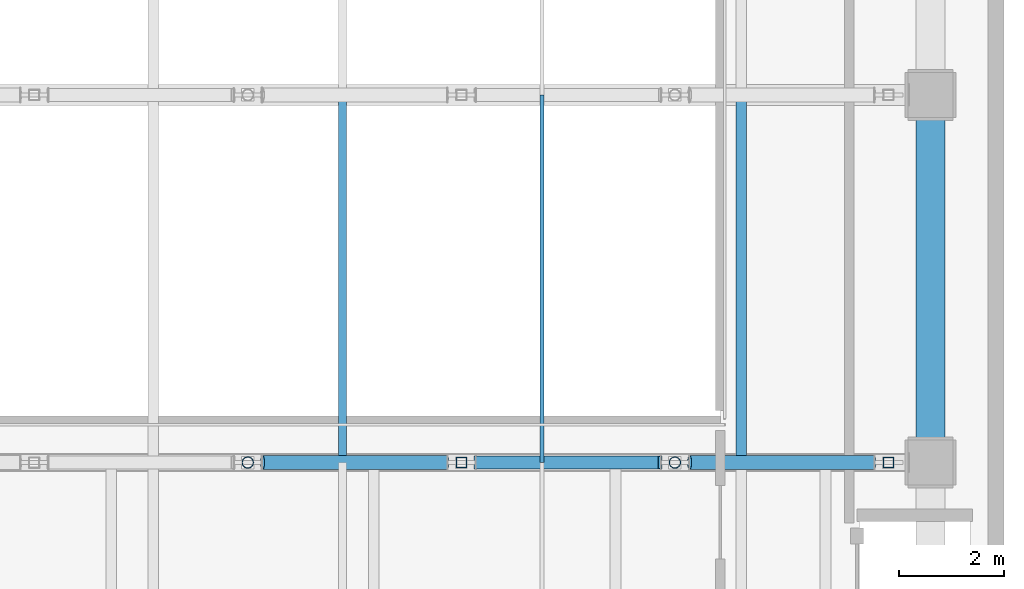
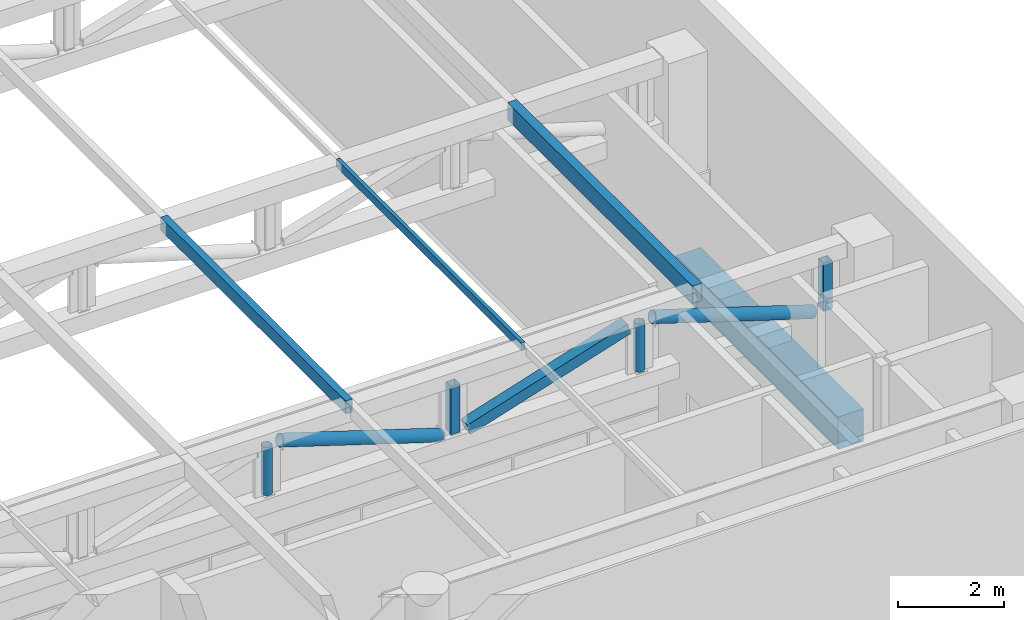
# One storey, part 9 of 25: 10 members, 1 beam.
"""IFC4 building model written with IfcOpenShell, lengths in metres."""

from ifc_helpers import new_model, si_unit, direction, frame, origin, origin_2d, place, context, subcontext, project, spatial, rectangle, hollow_rectangle, hollow_circle, extrude, material, material_profile, profile_set, type_object, element, save


model = new_model("IFC4")

# Units and contexts
model_context = context("Model", 3, precision=1e-05, world=origin(), true_north=direction((0.0, 1.0)))
body_context = subcontext(model_context, "Body", "Model", "MODEL_VIEW")
ifc_project = project(units=[si_unit("LENGTHUNIT", "METRE"), si_unit("AREAUNIT", "SQUARE_METRE"), si_unit("VOLUMEUNIT", "CUBIC_METRE"), si_unit("PLANEANGLEUNIT", "RADIAN"), si_unit("MASSUNIT", "GRAM", prefix="KILO")], contexts=[model_context])

# Site, building, storey
site_placement = place(None, origin())
site = spatial("IfcSite", under=ifc_project, at=site_placement, CompositionType="ELEMENT")
building_placement = place(site_placement, origin())
building = spatial("IfcBuilding", under=site, at=building_placement, Name="Solanera Arch Residences", CompositionType="ELEMENT")
storey_placement = place(building_placement, frame((0.0, 0.0, 17.800048828125)))
storey = spatial("IfcBuildingStorey", under=building, at=storey_placement, Name="L04", CompositionType="ELEMENT", Elevation=17.800048828125)

# Beam
ifc_material_1 = material(Name="Concrete C40/50 (f'c = 45 MPa)", Category="concrete")
ifc_material_profile_1 = material_profile(ifc_material_1, rectangle(XDim=0.550048828125, YDim=0.75, at=origin_2d()))
ifc_profile_set_1 = profile_set([ifc_material_profile_1], Name="Concrete C40/50 (f'c = 45 MPa)")
beam_type = type_object("IfcBeamType", Name="Primary Beam RC-BM-550X750", PredefinedType="BEAM", material=ifc_profile_set_1)
beam_placement = place(storey_placement, frame((81.800048828125, 20.22509765625, -0.655029296875), z_axis=(0.0, 1.0, 0.0), x_axis=(-1.0, 0.0, 0.0)))
element("IfcBeam", 1, at=beam_placement, inside=storey, type_object=beam_type, Name="BM-L04-HE-2", PredefinedType="BEAM", context=body_context, shape_type="SweptSolid", body=[
    extrude(rectangle(XDim=0.550048828125, YDim=0.75, at=origin_2d()), origin(), (0.0, 0.0, 1.0), 6.14990234375),
])

# Members
ifc_material_2 = material(Name="Steel S355 (ASTM A992 / A572 Grade 50)", Category="steel")
ifc_material_profile_2 = material_profile(ifc_material_2, hollow_rectangle(XDim=0.080078125, YDim=0.179931640625, WallThickness=0.006103515625, at=origin_2d()))
ifc_profile_set_2 = profile_set([ifc_material_profile_2], Name="Steel S355 (ASTM A992 / A572 Grade 50)")
member_type_1 = type_object("IfcMemberType", Name="Roof Purlin HSS180X80X6", PredefinedType="PURLIN", material=ifc_profile_set_2)
member_1_placement = place(storey_placement, frame((74.39990234375, 19.800048828125, 4.10986328125), z_axis=(0.0, 1.0, 0.0), x_axis=(-1.0, 0.0, 0.0)))
element("IfcMember", 2, at=member_1_placement, inside=storey, type_object=member_type_1, Name="Sports Hall Roof Purlin 5.2", PredefinedType="PURLIN", context=body_context, shape_type="SweptSolid", body=[
    extrude(hollow_rectangle(XDim=0.080078125, YDim=0.179931640625, WallThickness=0.006103515625, at=origin_2d()), origin(), (0.0, 0.0, 1.0), 7.0),
])
ifc_material_3 = material(Name="Steel S355 (ASTM A992 / A572 Grade 50)", Category="steel")
ifc_material_profile_3 = material_profile(ifc_material_3, hollow_rectangle(XDim=0.14990234375, YDim=0.300048828125, WallThickness=0.010009765625, at=origin_2d()))
ifc_profile_set_3 = profile_set([ifc_material_profile_3], Name="Steel S355 (ASTM A992 / A572 Grade 50)")
member_type_2 = type_object("IfcMemberType", Name="Roof Purlin HSS300X150X10", PredefinedType="PURLIN", material=ifc_profile_set_3)
member_2_placement = place(storey_placement, frame((70.60009765625, 19.800048828125, 4.050048828125), z_axis=(0.0, 1.0, 0.0), x_axis=(-1.0, 0.0, 0.0)))
element("IfcMember", 3, at=member_2_placement, inside=storey, type_object=member_type_2, Name="Sports Hall Roof Purlin 4.2", PredefinedType="PURLIN", context=body_context, shape_type="SweptSolid", body=[
    extrude(hollow_rectangle(XDim=0.14990234375, YDim=0.300048828125, WallThickness=0.010009765625, at=origin_2d()), origin(), (0.0, 0.0, 1.0), 7.0),
])
ifc_material_4 = material(Name="Steel S355 (ASTM A992 / A572 Grade 50)", Category="steel")
ifc_material_profile_4 = material_profile(ifc_material_4, hollow_rectangle(XDim=0.199951171875, YDim=0.39990234375, WallThickness=0.012451171875, at=origin_2d()))
ifc_profile_set_4 = profile_set([ifc_material_profile_4], Name="Steel S355 (ASTM A992 / A572 Grade 50)")
member_type_3 = type_object("IfcMemberType", Name="Roof Purlin HSS400X200X12.5", PredefinedType="PURLIN", material=ifc_profile_set_4)
member_3_placement = place(storey_placement, frame((78.199951171875, 19.800048828125, 4.0), z_axis=(0.0, 1.0, 0.0), x_axis=(-1.0, 0.0, 0.0)))
element("IfcMember", 4, at=member_3_placement, inside=storey, type_object=member_type_3, Name="Sports Hall Roof Purlin 6.2", PredefinedType="PURLIN", context=body_context, shape_type="SweptSolid", body=[
    extrude(hollow_rectangle(XDim=0.199951171875, YDim=0.39990234375, WallThickness=0.012451171875, at=origin_2d()), origin(), (0.0, 0.0, 1.0), 7.0),
])
ifc_material_5 = material(Name="Steel S355 (ASTM A992 / A572 Grade 50)", Category="steel")
ifc_material_profile_5 = material_profile(ifc_material_5, hollow_circle(Radius=0.109619140625, WallThickness=0.008056640625, at=origin_2d()))
ifc_profile_set_5 = profile_set([ifc_material_profile_5], Name="Steel S355 (ASTM A992 / A572 Grade 50)")
member_type_4 = type_object("IfcMemberType", Name="Strut CHS219.1X8", PredefinedType="STRUT", material=ifc_profile_set_5)
for number, where, z_axis, x_axis, name in (
    (5, (68.800048828125, 19.800048828125, 2.695068359375), (0.0, 0.0, 1.0), (1.0, 0.0, 0.0), "Sports Hall Roof Truss 1 Vertical Post 3"),
    (6, (76.93310546875, 19.800048828125, 2.695068359375), (0.0, 0.0, 1.0), (1.0, 0.0, 0.0), "Sports Hall Roof Truss 1 Vertical Post 5"),
):
    element("IfcMember", number, at=place(storey_placement, frame(where, z_axis=z_axis, x_axis=x_axis)), inside=storey, type_object=member_type_4, Name=name, PredefinedType="STRUT", context=body_context, shape_type="SweptSolid", body=[
        extrude(hollow_circle(Radius=0.109619140625, WallThickness=0.008056640625, at=origin_2d()), origin(), (0.0, 0.0, 1.0), 1.10986328125),
    ])
ifc_material_6 = material(Name="Steel S355 (ASTM A992 / A572 Grade 50)", Category="steel")
ifc_material_profile_6 = material_profile(ifc_material_6, hollow_circle(Radius=0.136474609375, WallThickness=0.010009765625, at=origin_2d()))
ifc_profile_set_6 = profile_set([ifc_material_profile_6], Name="Steel S355 (ASTM A992 / A572 Grade 50)")
member_type_5 = type_object("IfcMemberType", Name="Truss Diagonal CHS273X10", PredefinedType="BRACE", material=ifc_profile_set_6)
member_4_placement = place(storey_placement, frame((69.080078125, 19.800048828125, 3.804931640625), z_axis=(0.953391879618, 0.0, -0.301734856916), x_axis=(0.0, 1.0, 0.0)))
element("IfcMember", 7, at=member_4_placement, inside=storey, type_object=member_type_5, Name="Sports Hall Roof Truss 1 Web Diagonal 4", PredefinedType="BRACE", context=body_context, shape_type="SweptSolid", body=[
    extrude(hollow_circle(Radius=0.136474609375, WallThickness=0.010009765625, at=origin_2d()), origin(), (0.0, 0.0, 1.0), 3.67822265625),
])
member_5_placement = place(storey_placement, frame((77.212890625, 19.800048828125, 3.804931640625), z_axis=(0.953397921967, 0.0, -0.301715764237), x_axis=(0.0, 1.0, 0.0)))
element("IfcMember", 8, at=member_5_placement, inside=storey, type_object=member_type_5, Name="Sports Hall Roof Truss 1 Web Diagonal 6", PredefinedType="BRACE", context=body_context, shape_type="SweptSolid", body=[
    extrude(hollow_circle(Radius=0.136474609375, WallThickness=0.010009765625, at=origin_2d()), origin(), (0.0, 0.0, 1.0), 3.678466796875),
])
ifc_material_7 = material(Name="Steel S355 (ASTM A992 / A572 Grade 50)", Category="steel")
ifc_material_profile_7 = material_profile(ifc_material_7, hollow_rectangle(XDim=0.25, YDim=0.25, WallThickness=0.010009765625, at=origin_2d()))
ifc_profile_set_7 = profile_set([ifc_material_profile_7], Name="Steel S355 (ASTM A992 / A572 Grade 50)")
member_type_6 = type_object("IfcMemberType", Name="Truss Diagonal HSS250X250X10", PredefinedType="BRACE", material=ifc_profile_set_7)
member_6_placement = place(storey_placement, frame((73.14697265625, 19.800048828125, 2.695068359375), z_axis=(0.953373745687, 0.0, 0.301792148729), x_axis=(0.0, 1.0, 0.0)))
element("IfcMember", 9, at=member_6_placement, inside=storey, type_object=member_type_6, Name="Sports Hall Roof Truss 1 Web Diagonal 5", PredefinedType="BRACE", context=body_context, shape_type="SweptSolid", body=[
    extrude(hollow_rectangle(XDim=0.25, YDim=0.25, WallThickness=0.010009765625, at=origin_2d()), origin(), (0.0, 0.0, 1.0), 3.677490234375),
])
ifc_material_8 = material(Name="Steel S355 (ASTM A992 / A572 Grade 50)", Category="steel")
ifc_material_profile_8 = material_profile(ifc_material_8, hollow_rectangle(XDim=0.199951171875, YDim=0.199951171875, WallThickness=0.010009765625, at=origin_2d()))
ifc_profile_set_8 = profile_set([ifc_material_profile_8], Name="Steel S355 (ASTM A992 / A572 Grade 50)")
member_type_7 = type_object("IfcMemberType", Name="Truss Post HSS200X200X10", PredefinedType="STRUT", material=ifc_profile_set_8)
for number, where, z_axis, x_axis, name in (
    (10, (72.866943359375, 19.800048828125, 2.695068359375), (0.0, 0.0, 1.0), (1.0, 0.0, 0.0), "Sports Hall Roof Truss 1 Vertical Post 4"),
    (11, (81.0, 19.800048828125, 2.695068359375), (0.0, 0.0, 1.0), (1.0, 0.0, 0.0), "Sports Hall Roof Truss 1 Vertical Post 6"),
):
    element("IfcMember", number, at=place(storey_placement, frame(where, z_axis=z_axis, x_axis=x_axis)), inside=storey, type_object=member_type_7, Name=name, PredefinedType="STRUT", context=body_context, shape_type="SweptSolid", body=[
        extrude(hollow_rectangle(XDim=0.199951171875, YDim=0.199951171875, WallThickness=0.010009765625, at=origin_2d()), origin(), (0.0, 0.0, 1.0), 1.10986328125),
    ])

save(model, "model.ifc")
